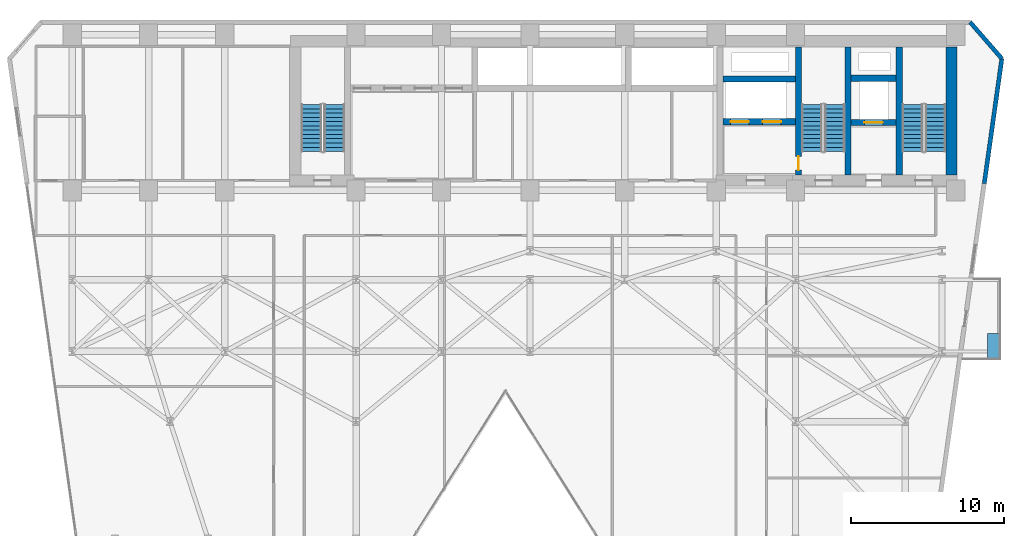
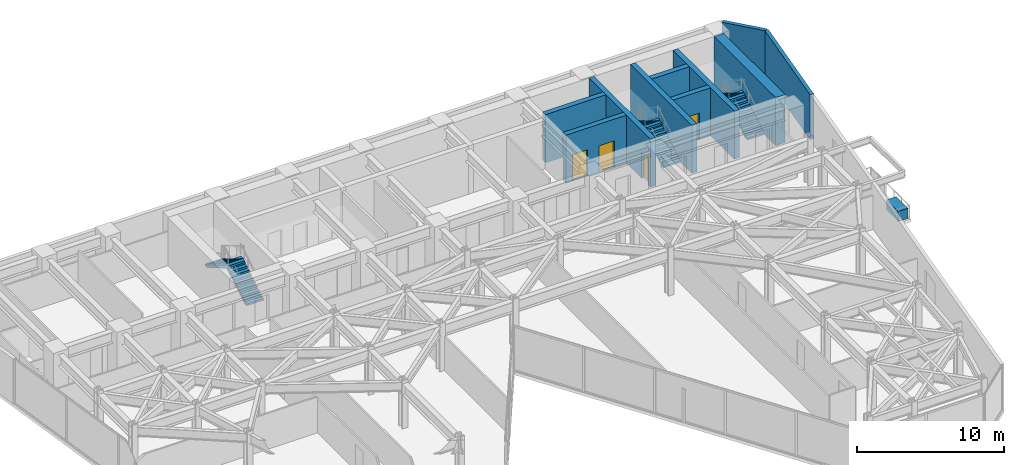
# One storey, part 21 of 24: 10 walls, 6 stair flights, 4 doors, 1 discrete accessory, 4 openings, 3 elements without a shape of their own.
"""IFC4 building model written with IfcOpenShell, lengths in metres."""

import ifcopenshell
import ifcopenshell.guid

model = None  # the IFC model being written
_history = None  # IfcOwnerHistory: only IFC2X3 demands one
_inside = {}  # id of a spatial element -> (the spatial element, [elements in it])
_under = {}  # id of a project, library or spatial element -> (it, [spatial elements below it])
_declared = {}  # id of a project -> (the project, [libraries it declares])
_typed = {}  # id of a type object -> (the type object, [elements of that type])
_made_of = {}  # id of a material, layer set ... -> (it, [elements and type objects made of it])


def new_model(schema):
    """Start an empty IFC model of exactly this schema.

    Asked for "IFC4X3", IfcOpenShell would pick the latest addendum, in which some entities
    have other attributes; the version numbers below select the first issue.
    IFC2X3 requires an IfcOwnerHistory on every rooted entity: one is made here for all.
    """
    global model, _history
    if schema == "IFC4X3":
        model = ifcopenshell.file(schema_version=(4, 3, 0, 0))
    else:
        model = ifcopenshell.file(schema=schema)
    _inside.clear()
    _under.clear()
    _declared.clear()
    _typed.clear()
    _made_of.clear()
    _history = None
    if model.schema == "IFC2X3":
        org = make("IfcOrganization", Name="unknown")
        user = make(
            "IfcPersonAndOrganization",
            ThePerson=make("IfcPerson", FamilyName="unknown"),
            TheOrganization=org,
        )
        app = make(
            "IfcApplication",
            ApplicationDeveloper=org,
            Version="unknown",
            ApplicationFullName="unknown",
            ApplicationIdentifier="unknown",
        )
        _history = make(
            "IfcOwnerHistory",
            OwningUser=user,
            OwningApplication=app,
            ChangeAction="ADDED",
            CreationDate=0,
        )
    return model


def make(cls, **values):
    """One entity of the class cls with the attributes given. An attribute that is None is left unset."""
    return model.create_entity(
        cls, **{name: value for name, value in values.items() if value is not None}
    )


def rooted(cls, **values):
    """An entity with a GlobalId (a new one), such as an element, a storey or a relation."""
    return make(cls, GlobalId=ifcopenshell.guid.new(), OwnerHistory=_history, **values)


def si_unit(unit_type, name, prefix=None):
    """IfcSIUnit, for example si_unit("LENGTHUNIT", "METRE", prefix="MILLI")."""
    return make("IfcSIUnit", UnitType=unit_type, Prefix=prefix, Name=name)


def assignment(units):
    """IfcUnitAssignment: the units of a project."""
    return None if units is None else make("IfcUnitAssignment", Units=units)


def point(xyz):
    """IfcCartesianPoint."""
    return None if xyz is None else make("IfcCartesianPoint", Coordinates=xyz)


def direction(xyz):
    """IfcDirection."""
    return None if xyz is None else make("IfcDirection", DirectionRatios=xyz)


def frame(location, z_axis=None, x_axis=None):
    """IfcAxis2Placement3D, a coordinate frame: its origin and axes. An axis left out is left unset."""
    return make(
        "IfcAxis2Placement3D",
        Location=point(location),
        Axis=direction(z_axis),
        RefDirection=direction(x_axis),
    )


def frame_2d(location, x_axis=None):
    """IfcAxis2Placement2D, a coordinate frame in the plane: its origin and x axis."""
    return make(
        "IfcAxis2Placement2D", Location=point(location), RefDirection=direction(x_axis)
    )


def origin():
    """The frame at (0, 0, 0) with its axes left unset."""
    return frame((0.0, 0.0, 0.0))


def origin_2d():
    """The frame at (0, 0) in the plane with its x axis left unset."""
    return frame_2d((0.0, 0.0))


def place(relative_to, where):
    """IfcLocalPlacement: puts the frame where relative to a parent placement (None: the world)."""
    return make(
        "IfcLocalPlacement", PlacementRelTo=relative_to, RelativePlacement=where
    )


def context(
    kind, dimensions, precision=None, world=None, true_north=None, identifier=None
):
    """IfcGeometricRepresentationContext, for example the 3D "Model" context."""
    return make(
        "IfcGeometricRepresentationContext",
        ContextIdentifier=identifier,
        ContextType=kind,
        CoordinateSpaceDimension=dimensions,
        Precision=precision,
        WorldCoordinateSystem=world,
        TrueNorth=true_north,
    )


def subcontext(parent, identifier, kind, view, scale=None):
    """IfcGeometricRepresentationSubContext, for example "Body" below "Model"."""
    return make(
        "IfcGeometricRepresentationSubContext",
        ContextIdentifier=identifier,
        ContextType=kind,
        ParentContext=parent,
        TargetScale=scale,
        TargetView=view,
    )


def project(units=None, contexts=None):
    """IfcProject with its units and contexts."""
    return rooted(
        "IfcProject",
        Name="project",
        RepresentationContexts=contexts,
        UnitsInContext=assignment(units),
    )


def spatial(cls, under=None, at=None, **own):
    """A site, building, storey or space (cls), placed at a placement, below another one or the project."""
    s = rooted(cls, ObjectPlacement=at, **own)
    if under is not None:
        _under.setdefault(under.id(), (under, []))[1].append(s)
    return s


def polyline(points):
    """IfcPolyline through the points."""
    return make("IfcPolyline", Points=[point(p) for p in points])


def profile(cls, at=None, kind="AREA", **sizes):
    """A parametric profile (cls). Its sizes go by their IFC names, for example OverallWidth=200.0."""
    return make(cls, ProfileType=kind, Position=at, **sizes)


def rectangle(**sizes):
    """IfcRectangleProfileDef."""
    return profile("IfcRectangleProfileDef", **sizes)


def outline(outer, holes=None, kind="AREA"):
    """IfcArbitraryClosedProfileDef: a profile drawn as a closed curve; with holes, ...WithVoids."""
    if holes is None:
        return make("IfcArbitraryClosedProfileDef", ProfileType=kind, OuterCurve=outer)
    return make(
        "IfcArbitraryProfileDefWithVoids",
        ProfileType=kind,
        OuterCurve=outer,
        InnerCurves=holes,
    )


def extrude(swept, where, along, depth):
    """IfcExtrudedAreaSolid: the profile swept, set in the frame where, extruded along a direction by depth."""
    return make(
        "IfcExtrudedAreaSolid",
        SweptArea=swept,
        Position=where,
        ExtrudedDirection=direction(along),
        Depth=depth,
    )


def shape(context_of_items, identifier, shape_type, items):
    """IfcShapeRepresentation: the items that make up one representation, for example the "Body"."""
    return make(
        "IfcShapeRepresentation",
        ContextOfItems=context_of_items,
        RepresentationIdentifier=identifier,
        RepresentationType=shape_type,
        Items=items,
    )


def material(Name=None, Category=None):
    """IfcMaterial."""
    return make("IfcMaterial", Name=Name, Category=Category)


def layer(
    of_material, thickness, ventilated=None, Name=None, Category=None, Priority=None
):
    """IfcMaterialLayer: one layer of a wall or slab, of a material (None: an air gap)."""
    return make(
        "IfcMaterialLayer",
        Material=of_material,
        LayerThickness=thickness,
        IsVentilated=ventilated,
        Name=Name,
        Category=Category,
        Priority=Priority,
    )


def layer_set(layers, Name=None):
    """IfcMaterialLayerSet."""
    return make("IfcMaterialLayerSet", MaterialLayers=layers, LayerSetName=Name)


def made_of(thing, what):
    """Note that an element or type object is made of a material, layer set ...; save() writes the relation."""
    if what is not None:
        _made_of.setdefault(what.id(), (what, []))[1].append(thing)
    return thing


def type_object(cls, material=None, **own):
    """A type object (cls), such as IfcWallType, which elements share."""
    return made_of(rooted(cls, **own), material)


def element(
    cls,
    number,
    at=None,
    inside=None,
    cuts=None,
    type_object=None,
    material=None,
    context=None,
    identifier="Body",
    shape_type=None,
    held_by="IfcProductDefinitionShape",
    body=None,
    shapes=None,
    **own,
):
    """One element of the class cls, such as IfcWall. Its Tag is "e" and its number.

    at: its placement. inside: the storey or other place that contains it. cuts: it is an
    opening in that element (IfcRelVoidsElement). A single representation is given by context,
    identifier, shape_type and body (its items); several are given by shapes. held_by: the class
    of the entity that holds the representations. save() writes the other relations.
    """
    e = rooted(cls, Tag="e%d" % number, ObjectPlacement=at, **own)
    if body is not None:
        shapes = [shape(context, identifier, shape_type, body)]
    if shapes is not None:
        e.Representation = make(held_by, Representations=shapes)
    if inside is not None:
        _inside.setdefault(inside.id(), (inside, []))[1].append(e)
    if cuts is not None:
        rooted(
            "IfcRelVoidsElement", RelatingBuildingElement=cuts, RelatedOpeningElement=e
        )
    if type_object is not None:
        _typed.setdefault(type_object.id(), (type_object, []))[1].append(e)
    return made_of(e, material)


def fill(opening, filler):
    """IfcRelFillsElement: the door or window that sits in an opening."""
    return rooted(
        "IfcRelFillsElement",
        RelatingOpeningElement=opening,
        RelatedBuildingElement=filler,
    )


def aggregate(whole, parts):
    """IfcRelAggregates: a whole, such as a stair, and the parts it consists of."""
    return rooted("IfcRelAggregates", RelatingObject=whole, RelatedObjects=parts)


def save(model, path):
    """Write the relations noted so far, then the file.

    IfcRelAggregates (storeys below a building ...), IfcRelContainedInSpatialStructure (elements
    in a storey), IfcRelDefinesByType, IfcRelAssociatesMaterial and IfcRelDeclares: one each for
    every whole, place, type object, material and project.
    """
    for whole, parts in _under.values():
        aggregate(whole, parts)
    for where, things in _inside.values():
        rooted(
            "IfcRelContainedInSpatialStructure",
            RelatedElements=things,
            RelatingStructure=where,
        )
    for kind, things in _typed.values():
        rooted("IfcRelDefinesByType", RelatedObjects=things, RelatingType=kind)
    for what, things in _made_of.values():
        rooted("IfcRelAssociatesMaterial", RelatedObjects=things, RelatingMaterial=what)
    for by, libraries in _declared.values():
        rooted("IfcRelDeclares", RelatingContext=by, RelatedDefinitions=libraries)
    model.write(path)


model = new_model("IFC4")

# Units and contexts
model_context = context("Model", 3, precision=1e-05, world=origin(), true_north=direction((0.0, 1.0)))
body_context = subcontext(model_context, "Body", "Model", "MODEL_VIEW")
ifc_project = project(units=[si_unit("LENGTHUNIT", "METRE"), si_unit("AREAUNIT", "SQUARE_METRE"), si_unit("VOLUMEUNIT", "CUBIC_METRE"), si_unit("PLANEANGLEUNIT", "RADIAN"), si_unit("MASSUNIT", "GRAM", prefix="KILO")], contexts=[model_context])

# Site, building, storey
site_placement = place(None, origin())
site = spatial("IfcSite", under=ifc_project, at=site_placement, CompositionType="ELEMENT")
building_placement = place(site_placement, origin())
building = spatial("IfcBuilding", under=site, at=building_placement, Name="Kravanh Interchange Tower", CompositionType="ELEMENT")
storey_placement = place(building_placement, frame((0.0, 0.0, 37.5)))
storey = spatial("IfcBuildingStorey", under=building, at=storey_placement, Name="L08", CompositionType="ELEMENT", Elevation=37.5)

# Walls
ifc_material_1 = material(Name="Concrete C80/95", Category="concrete")
ifc_layer_1 = layer(ifc_material_1, 0.39990234375)
ifc_layer_set_1 = layer_set([ifc_layer_1], Name="Core Shear Wall Concrete C80/95 400mm")
wall_type_1 = type_object("IfcWallType", Name="Core Shear Wall Concrete C80/95 400mm", PredefinedType="SHEAR", material=ifc_layer_set_1)
for number, where, z_axis, x_axis, name in (
    (1, (62.800048828125, 38.375, 0.0), (0.0, 0.0, 1.0), (0.0, 1.0, 0.0), "L08 Stair ST1 West Shear Wall"),
    (2, (59.449951171875, 38.375, 0.0), (0.0, 0.0, 1.0), (0.0, 1.0, 0.0), "L08 Stair ST2 East Shear Wall"),
):
    element("IfcWall", number, at=place(storey_placement, frame(where, z_axis=z_axis, x_axis=x_axis)), inside=storey, type_object=wall_type_1, Name=name, PredefinedType="SHEAR", context=body_context, shape_type="SweptSolid", body=[
        extrude(rectangle(XDim=8.375, YDim=0.39990234375, at=frame_2d((4.1875, 0.0))), origin(), (0.0, 0.0, 1.0), 4.0),
    ])

# Wall, opening, door
wall_1_placement = place(storey_placement, frame((56.199951171875, 38.375, 0.0), z_axis=(0.0, 0.0, 1.0), x_axis=(0.0, 1.0, 0.0)))
wall_1 = element("IfcWall", 3, at=wall_1_placement, inside=storey, type_object=wall_type_1, Name="L08 Stair ST2 West Shear Wall", PredefinedType="SHEAR", context=body_context, shape_type="SweptSolid", body=[
    extrude(rectangle(XDim=8.375, YDim=0.39990234375, at=frame_2d((4.1875, 0.0))), origin(), (0.0, 0.0, 1.0), 4.0),
])
opening_1_placement = place(wall_1_placement, frame((0.304931640625, 0.0, 0.0)))
opening_1 = element("IfcOpeningElement", 4, at=opening_1_placement, cuts=wall_1, Name="Opening D-STAIR-90", PredefinedType="OPENING", context=body_context, shape_type="SweptSolid", body=[
    extrude(rectangle(XDim=0.89990234375, YDim=2.14990234375, at=frame_2d((0.449951171875, 1.074951171875))), frame((0.0, 0.2099609375, 0.0), z_axis=(0.0, -1.0, 0.0), x_axis=(1.0, 0.0, 0.0)), (0.0, 0.0, 1.0), 0.419921875),
])
ifc_material_2 = material(Name="Structural Steel S355", Category="steel")
door_type_1 = type_object("IfcDoorType", Name="Fire-Rated Stair Lobby Door 900x2150", OperationType="NOTDEFINED", PredefinedType="DOOR", material=ifc_material_2)
door_1_placement = place(opening_1_placement, origin())
door_1 = element("IfcDoor", 5, at=door_1_placement, inside=storey, type_object=door_type_1, Name="L08 Firefighting Lobby to Stair ST2 Door", OperationType="SINGLE_SWING_LEFT", OverallHeight=2.14990234375, OverallWidth=0.89990234375, PredefinedType="DOOR", context=body_context, shape_type="SweptSolid", body=[
    extrude(rectangle(XDim=0.89990234375, YDim=2.14990234375, at=frame_2d((0.449951171875, 1.074951171875))), frame((0.0, 0.02490234375, 0.0), z_axis=(0.0, -1.0, 0.0), x_axis=(1.0, 0.0, 0.0)), (0.0, 0.0, 1.0), 0.050048828125),
])
fill(opening_1, door_1)

wall_2_placement = place(storey_placement, frame((59.64990234375, 41.800048828125, 0.0), z_axis=(0.0, 0.0, 1.0), x_axis=(1.0, 0.0, 0.0)))
wall_2 = element("IfcWall", 6, at=wall_2_placement, inside=storey, type_object=wall_type_1, Name="L08 Service Lift Shaft South Wall", PredefinedType="SHEAR", context=body_context, shape_type="SweptSolid", body=[
    extrude(rectangle(XDim=2.9501953125, YDim=0.39990234375, at=frame_2d((1.47509765625, 0.0))), origin(), (0.0, 0.0, 1.0), 4.0),
])
opening_2_placement = place(wall_2_placement, frame((0.8701171875, 0.0, 0.0)))
opening_2 = element("IfcOpeningElement", 7, at=opening_2_placement, cuts=wall_2, Name="Opening LD02", PredefinedType="OPENING", context=body_context, shape_type="SweptSolid", body=[
    extrude(rectangle(XDim=1.199951171875, YDim=2.199951171875, at=frame_2d((0.60009765625, 1.10009765625))), frame((0.0, 0.2099609375, 0.0), z_axis=(0.0, -1.0, 0.0), x_axis=(1.0, 0.0, 0.0)), (0.0, 0.0, 1.0), 0.419921875),
])
ifc_material_3 = material(Name="Stainless Steel 316", Category="steel")
door_type_2 = type_object("IfcDoorType", Name="Fire and Service Lift Sliding Landing Door 1200x2200", OperationType="DOUBLE_DOOR_SLIDING", PredefinedType="DOOR", material=ifc_material_3)
door_2_placement = place(opening_2_placement, origin())
door_2 = element("IfcDoor", 8, at=door_2_placement, inside=storey, type_object=door_type_2, Name="L08 Lift LS-01 Landing Door", OperationType="DOUBLE_DOOR_SLIDING", OverallHeight=2.199951171875, OverallWidth=1.199951171875, PredefinedType="DOOR", context=body_context, shape_type="SweptSolid", body=[
    extrude(rectangle(XDim=1.199951171875, YDim=2.199951171875, at=frame_2d((0.60009765625, 1.10009765625))), frame((0.0, 0.02490234375, 0.0), z_axis=(0.0, -1.0, 0.0), x_axis=(1.0, 0.0, 0.0)), (0.0, 0.0, 1.0), 0.050048828125),
])
fill(opening_2, door_2)

# Wall
wall_3_placement = place(storey_placement, frame((59.64990234375, 44.699951171875, 0.0), z_axis=(0.0, 0.0, 1.0), x_axis=(1.0, 0.0, 0.0)))
element("IfcWall", 9, at=wall_3_placement, inside=storey, type_object=wall_type_1, Name="L08 Service Lift Shaft North Wall", PredefinedType="SHEAR", context=body_context, shape_type="SweptSolid", body=[
    extrude(rectangle(XDim=2.9501953125, YDim=0.39990234375, at=frame_2d((1.47509765625, 0.0))), origin(), (0.0, 0.0, 1.0), 4.0),
])

# Wall, openings, doors
wall_4_placement = place(storey_placement, frame((51.25, 41.85009765625, 0.0), z_axis=(0.0, 0.0, 1.0), x_axis=(1.0, 0.0, 0.0)))
wall_4 = element("IfcWall", 10, at=wall_4_placement, inside=storey, type_object=wall_type_1, Name="L08 Fire Lift Shaft South Wall", PredefinedType="SHEAR", context=body_context, shape_type="SweptSolid", body=[
    extrude(rectangle(XDim=4.75, YDim=0.39990234375, at=frame_2d((2.375, 0.0))), origin(), (0.0, 0.0, 1.0), 4.0),
])
opening_3_placement = place(wall_4_placement, frame((0.5, 0.0, 0.0)))
opening_3 = element("IfcOpeningElement", 11, at=opening_3_placement, cuts=wall_4, Name="Opening LD02", PredefinedType="OPENING", context=body_context, shape_type="SweptSolid", body=[
    extrude(rectangle(XDim=1.199951171875, YDim=2.199951171875, at=frame_2d((0.60009765625, 1.10009765625))), frame((0.0, 0.2099609375, 0.0), z_axis=(0.0, -1.0, 0.0), x_axis=(1.0, 0.0, 0.0)), (0.0, 0.0, 1.0), 0.419921875),
])
opening_4_placement = place(wall_4_placement, frame((2.60009765625, 0.0, 0.0)))
opening_4 = element("IfcOpeningElement", 12, at=opening_4_placement, cuts=wall_4, Name="Opening LD02", PredefinedType="OPENING", context=body_context, shape_type="SweptSolid", body=[
    extrude(rectangle(XDim=1.199951171875, YDim=2.199951171875, at=frame_2d((0.60009765625, 1.10009765625))), frame((0.0, 0.2099609375, 0.0), z_axis=(0.0, -1.0, 0.0), x_axis=(1.0, 0.0, 0.0)), (0.0, 0.0, 1.0), 0.419921875),
])
door_3_placement = place(opening_3_placement, origin())
door_3 = element("IfcDoor", 13, at=door_3_placement, inside=storey, type_object=door_type_2, Name="L08 Lift FSAE-01 Landing Door", OperationType="DOUBLE_DOOR_SLIDING", OverallHeight=2.199951171875, OverallWidth=1.199951171875, PredefinedType="DOOR", context=body_context, shape_type="SweptSolid", body=[
    extrude(rectangle(XDim=1.199951171875, YDim=2.199951171875, at=frame_2d((0.60009765625, 1.10009765625))), frame((0.0, 0.02490234375, 0.0), z_axis=(0.0, -1.0, 0.0), x_axis=(1.0, 0.0, 0.0)), (0.0, 0.0, 1.0), 0.050048828125),
])
fill(opening_3, door_3)
door_4_placement = place(opening_4_placement, origin())
door_4 = element("IfcDoor", 14, at=door_4_placement, inside=storey, type_object=door_type_2, Name="L08 Lift FSAE-02 Landing Door", OperationType="DOUBLE_DOOR_SLIDING", OverallHeight=2.199951171875, OverallWidth=1.199951171875, PredefinedType="DOOR", context=body_context, shape_type="SweptSolid", body=[
    extrude(rectangle(XDim=1.199951171875, YDim=2.199951171875, at=frame_2d((0.60009765625, 1.10009765625))), frame((0.0, 0.02490234375, 0.0), z_axis=(0.0, -1.0, 0.0), x_axis=(1.0, 0.0, 0.0)), (0.0, 0.0, 1.0), 0.050048828125),
])
fill(opening_4, door_4)

# Walls
wall_5_placement = place(storey_placement, frame((51.25, 44.64990234375, 0.0), z_axis=(0.0, 0.0, 1.0), x_axis=(1.0, 0.0, 0.0)))
element("IfcWall", 15, at=wall_5_placement, inside=storey, type_object=wall_type_1, Name="L08 Fire Lift Shaft North Wall", PredefinedType="SHEAR", context=body_context, shape_type="SweptSolid", body=[
    extrude(rectangle(XDim=4.75, YDim=0.39990234375, at=frame_2d((2.375, 0.0))), origin(), (0.0, 0.0, 1.0), 4.0),
])
ifc_material_4 = material(Name="Concrete C80/95", Category="concrete")
ifc_layer_2 = layer(ifc_material_4, 0.75)
ifc_layer_set_2 = layer_set([ifc_layer_2], Name="Core Shear Wall Concrete C80/95 750mm")
wall_type_2 = type_object("IfcWallType", Name="Core Shear Wall Concrete C80/95 750mm", PredefinedType="SHEAR", material=ifc_layer_set_2)
wall_6_placement = place(storey_placement, frame((66.22509765625, 38.375, 0.0), z_axis=(0.0, 0.0, 1.0), x_axis=(0.0, 1.0, 0.0)))
element("IfcWall", 16, at=wall_6_placement, inside=storey, type_object=wall_type_2, Name="L08 Stair ST1 East Shear Wall", PredefinedType="SHEAR", context=body_context, shape_type="SweptSolid", body=[
    extrude(rectangle(XDim=8.375, YDim=0.75, at=frame_2d((4.1875, 0.0))), origin(), (0.0, 0.0, 1.0), 4.0),
])
ifc_material_5 = material(Name="Insulated Precast Concrete C40/50 with Bronze Cladding", Category="concrete")
ifc_layer_3 = layer(ifc_material_5, 0.280029296875)
ifc_layer_set_3 = layer_set([ifc_layer_3], Name="Exterior Insulated Concrete C40/50 Bronze Spandrel Wall 280mm")
wall_type_3 = type_object("IfcWallType", Name="Exterior Insulated Concrete C40/50 Bronze Spandrel Wall 280mm", PredefinedType="STANDARD", material=ifc_layer_set_3)
wall_7_placement = place(storey_placement, frame((67.4453125, 48.3798828125, 0.0), z_axis=(0.0, 0.0, 1.0), x_axis=(0.656070053895, -0.754699996278, 0.0)))
element("IfcWall", 17, at=wall_7_placement, inside=storey, type_object=wall_type_3, Name="L08 Exterior Wall 4", PredefinedType="STANDARD", context=body_context, shape_type="SweptSolid", body=[
    extrude(rectangle(XDim=3.1708984375, YDim=0.280029296875, at=frame_2d((1.58544921875, 0.0))), origin(), (0.0, 0.0, 1.0), 3.739990234375),
])
wall_8_placement = place(storey_placement, frame((69.525634765625, 45.98681640625, 0.0), z_axis=(0.0, 0.0, 1.0), x_axis=(-0.139180172484, -0.990267074878, 0.0)))
element("IfcWall", 18, at=wall_8_placement, inside=storey, type_object=wall_type_3, Name="L08 Exterior Wall 5", PredefinedType="STANDARD", context=body_context, shape_type="SweptSolid", body=[
    extrude(rectangle(XDim=8.267333984375, YDim=0.280029296875, at=frame_2d((4.1337890625, 0.0))), origin(), (0.0, 0.0, 1.0), 3.739990234375),
])

# Stair, stair flights
ifc_material_6 = material(Name="Concrete C50/60", Category="concrete")
stair_type = type_object("IfcStairType", Name="Core Fire Exit Dogleg Stair Concrete C50/60", PredefinedType="HALF_TURN_STAIR", material=ifc_material_6)
stair_1_placement = place(storey_placement, origin())
stair_1 = element("IfcStair", 19, at=stair_1_placement, inside=storey, type_object=stair_type, Name="L08 Exit Stair ST1", PredefinedType="HALF_TURN_STAIR")
ifc_material_7 = material(Name="Precast Concrete C50/60", Category="concrete")
ifc_layer_4 = layer(ifc_material_7, 0.199951171875)
ifc_layer_set_4 = layer_set([ifc_layer_4], Name="Precast Concrete C50/60 Stair Flight 1350mm")
stair_flight_type = type_object("IfcStairFlightType", Name="Precast Concrete C50/60 Stair Flight 1350mm", PredefinedType="STRAIGHT", material=ifc_layer_set_4)
stair_flight_1_placement = place(storey_placement, frame((65.175048828125, 39.89990234375, 0.0), z_axis=(0.0, 0.0, 1.0), x_axis=(0.0, 1.0, 0.0)))
stair_flight_1 = element("IfcStairFlight", 20, at=stair_flight_1_placement, type_object=stair_flight_type, Name="ST1 flight 1", NumberOfRisers=12, NumberOfTreads=11, PredefinedType="STRAIGHT", RiserHeight=0.166666667, TreadLength=0.28, context=body_context, shape_type="SweptSolid", body=[
    extrude(outline(polyline([(0.0, 0.0), (0.0, 0.166748046875), (0.280029296875, 0.166748046875), (0.280029296875, 0.333251953125), (0.56005859375, 0.333251953125), (0.56005859375, 0.5), (0.840087890625, 0.5), (0.840087890625, 0.666748046875), (1.1201171875, 0.666748046875), (1.1201171875, 0.833251953125), (1.39990234375, 0.833251953125), (1.39990234375, 1.0), (1.679931640625, 1.0), (1.679931640625, 1.166748046875), (1.9599609375, 1.166748046875), (1.9599609375, 1.333251953125), (2.239990234375, 1.333251953125), (2.239990234375, 1.5), (2.52001953125, 1.5), (2.52001953125, 1.666748046875), (2.800048828125, 1.666748046875), (2.800048828125, 1.833251953125), (3.080078125, 1.833251953125), (3.080078125, 2.0), (3.080078125, 1.658935546875), (0.29296875, 0.0), (0.0, 0.0)])), frame((0.0, 0.675048828125, 0.0), z_axis=(0.0, -1.0, 0.0), x_axis=(1.0, 0.0, 0.0)), (0.0, 0.0, 1.0), 1.35009765625),
])
stair_flight_2_placement = place(storey_placement, frame((63.675048828125, 42.97998046875, 2.0), z_axis=(0.0, 0.0, 1.0), x_axis=(0.0, -1.0, 0.0)))
stair_flight_2 = element("IfcStairFlight", 21, at=stair_flight_2_placement, type_object=stair_flight_type, Name="ST1 flight 2", NumberOfRisers=12, NumberOfTreads=11, PredefinedType="STRAIGHT", RiserHeight=0.166666667, TreadLength=0.28, context=body_context, shape_type="SweptSolid", body=[
    extrude(outline(polyline([(0.0, 0.0), (0.0, 0.166748046875), (0.280029296875, 0.166748046875), (0.280029296875, 0.333251953125), (0.56005859375, 0.333251953125), (0.56005859375, 0.5), (0.840087890625, 0.5), (0.840087890625, 0.666748046875), (1.1201171875, 0.666748046875), (1.1201171875, 0.833251953125), (1.39990234375, 0.833251953125), (1.39990234375, 1.0), (1.679931640625, 1.0), (1.679931640625, 1.166748046875), (1.9599609375, 1.166748046875), (1.9599609375, 1.333251953125), (2.239990234375, 1.333251953125), (2.239990234375, 1.5), (2.52001953125, 1.5), (2.52001953125, 1.666748046875), (2.800048828125, 1.666748046875), (2.800048828125, 1.833251953125), (3.080078125, 1.833251953125), (3.080078125, 2.0), (3.080078125, 1.658935546875), (0.29296875, 0.0), (0.0, 0.0)])), frame((0.0, 0.675048828125, 0.0), z_axis=(0.0, -1.0, 0.0), x_axis=(1.0, 0.0, 0.0)), (0.0, 0.0, 1.0), 1.35009765625),
])
aggregate(stair_1, [stair_flight_1, stair_flight_2])

stair_2_placement = place(storey_placement, origin())
stair_2 = element("IfcStair", 22, at=stair_2_placement, inside=storey, type_object=stair_type, Name="L08 Exit Stair ST2", PredefinedType="HALF_TURN_STAIR")
stair_flight_3_placement = place(storey_placement, frame((58.574951171875, 39.89990234375, 0.0), z_axis=(0.0, 0.0, 1.0), x_axis=(0.0, 1.0, 0.0)))
stair_flight_3 = element("IfcStairFlight", 23, at=stair_flight_3_placement, type_object=stair_flight_type, Name="ST2 flight 1", NumberOfRisers=12, NumberOfTreads=11, PredefinedType="STRAIGHT", RiserHeight=0.166666667, TreadLength=0.28, context=body_context, shape_type="SweptSolid", body=[
    extrude(outline(polyline([(0.0, 0.0), (0.0, 0.166748046875), (0.280029296875, 0.166748046875), (0.280029296875, 0.333251953125), (0.56005859375, 0.333251953125), (0.56005859375, 0.5), (0.840087890625, 0.5), (0.840087890625, 0.666748046875), (1.1201171875, 0.666748046875), (1.1201171875, 0.833251953125), (1.39990234375, 0.833251953125), (1.39990234375, 1.0), (1.679931640625, 1.0), (1.679931640625, 1.166748046875), (1.9599609375, 1.166748046875), (1.9599609375, 1.333251953125), (2.239990234375, 1.333251953125), (2.239990234375, 1.5), (2.52001953125, 1.5), (2.52001953125, 1.666748046875), (2.800048828125, 1.666748046875), (2.800048828125, 1.833251953125), (3.080078125, 1.833251953125), (3.080078125, 2.0), (3.080078125, 1.658935546875), (0.29296875, 0.0), (0.0, 0.0)])), frame((0.0, 0.675048828125, 0.0), z_axis=(0.0, -1.0, 0.0), x_axis=(1.0, 0.0, 0.0)), (0.0, 0.0, 1.0), 1.35009765625),
])
stair_flight_4_placement = place(storey_placement, frame((57.074951171875, 42.97998046875, 2.0), z_axis=(0.0, 0.0, 1.0), x_axis=(0.0, -1.0, 0.0)))
stair_flight_4 = element("IfcStairFlight", 24, at=stair_flight_4_placement, type_object=stair_flight_type, Name="ST2 flight 2", NumberOfRisers=12, NumberOfTreads=11, PredefinedType="STRAIGHT", RiserHeight=0.166666667, TreadLength=0.28, context=body_context, shape_type="SweptSolid", body=[
    extrude(outline(polyline([(0.0, 0.0), (0.0, 0.166748046875), (0.280029296875, 0.166748046875), (0.280029296875, 0.333251953125), (0.56005859375, 0.333251953125), (0.56005859375, 0.5), (0.840087890625, 0.5), (0.840087890625, 0.666748046875), (1.1201171875, 0.666748046875), (1.1201171875, 0.833251953125), (1.39990234375, 0.833251953125), (1.39990234375, 1.0), (1.679931640625, 1.0), (1.679931640625, 1.166748046875), (1.9599609375, 1.166748046875), (1.9599609375, 1.333251953125), (2.239990234375, 1.333251953125), (2.239990234375, 1.5), (2.52001953125, 1.5), (2.52001953125, 1.666748046875), (2.800048828125, 1.666748046875), (2.800048828125, 1.833251953125), (3.080078125, 1.833251953125), (3.080078125, 2.0), (3.080078125, 1.658935546875), (0.29296875, 0.0), (0.0, 0.0)])), frame((0.0, 0.675048828125, 0.0), z_axis=(0.0, -1.0, 0.0), x_axis=(1.0, 0.0, 0.0)), (0.0, 0.0, 1.0), 1.35009765625),
])
aggregate(stair_2, [stair_flight_3, stair_flight_4])

stair_3_placement = place(storey_placement, origin())
stair_3 = element("IfcStair", 25, at=stair_3_placement, inside=storey, type_object=stair_type, Name="L08 Exit Stair ST3", PredefinedType="HALF_TURN_STAIR")
stair_flight_5_placement = place(storey_placement, frame((25.77490234375, 39.89990234375, 0.0), z_axis=(0.0, 0.0, 1.0), x_axis=(0.0, 1.0, 0.0)))
stair_flight_5 = element("IfcStairFlight", 26, at=stair_flight_5_placement, type_object=stair_flight_type, Name="ST3 flight 1", NumberOfRisers=12, NumberOfTreads=11, PredefinedType="STRAIGHT", RiserHeight=0.166666667, TreadLength=0.28, context=body_context, shape_type="SweptSolid", body=[
    extrude(outline(polyline([(0.0, 0.0), (0.0, 0.166748046875), (0.280029296875, 0.166748046875), (0.280029296875, 0.333251953125), (0.56005859375, 0.333251953125), (0.56005859375, 0.5), (0.840087890625, 0.5), (0.840087890625, 0.666748046875), (1.1201171875, 0.666748046875), (1.1201171875, 0.833251953125), (1.39990234375, 0.833251953125), (1.39990234375, 1.0), (1.679931640625, 1.0), (1.679931640625, 1.166748046875), (1.9599609375, 1.166748046875), (1.9599609375, 1.333251953125), (2.239990234375, 1.333251953125), (2.239990234375, 1.5), (2.52001953125, 1.5), (2.52001953125, 1.666748046875), (2.800048828125, 1.666748046875), (2.800048828125, 1.833251953125), (3.080078125, 1.833251953125), (3.080078125, 2.0), (3.080078125, 1.658935546875), (0.29296875, 0.0), (0.0, 0.0)])), frame((0.0, 0.675048828125, 0.0), z_axis=(0.0, -1.0, 0.0), x_axis=(1.0, 0.0, 0.0)), (0.0, 0.0, 1.0), 1.35009765625),
])
stair_flight_6_placement = place(storey_placement, frame((24.27490234375, 42.97998046875, 2.0), z_axis=(0.0, 0.0, 1.0), x_axis=(0.0, -1.0, 0.0)))
stair_flight_6 = element("IfcStairFlight", 27, at=stair_flight_6_placement, type_object=stair_flight_type, Name="ST3 flight 2", NumberOfRisers=12, NumberOfTreads=11, PredefinedType="STRAIGHT", RiserHeight=0.166666667, TreadLength=0.28, context=body_context, shape_type="SweptSolid", body=[
    extrude(outline(polyline([(0.0, 0.0), (0.0, 0.166748046875), (0.280029296875, 0.166748046875), (0.280029296875, 0.333251953125), (0.56005859375, 0.333251953125), (0.56005859375, 0.5), (0.840087890625, 0.5), (0.840087890625, 0.666748046875), (1.1201171875, 0.666748046875), (1.1201171875, 0.833251953125), (1.39990234375, 0.833251953125), (1.39990234375, 1.0), (1.679931640625, 1.0), (1.679931640625, 1.166748046875), (1.9599609375, 1.166748046875), (1.9599609375, 1.333251953125), (2.239990234375, 1.333251953125), (2.239990234375, 1.5), (2.52001953125, 1.5), (2.52001953125, 1.666748046875), (2.800048828125, 1.666748046875), (2.800048828125, 1.833251953125), (3.080078125, 1.833251953125), (3.080078125, 2.0), (3.080078125, 1.658935546875), (0.29296875, 0.0), (0.0, 0.0)])), frame((0.0, 0.675048828125, 0.0), z_axis=(0.0, -1.0, 0.0), x_axis=(1.0, 0.0, 0.0)), (0.0, 0.0, 1.0), 1.35009765625),
])
aggregate(stair_3, [stair_flight_5, stair_flight_6])

# Discrete accessory
ifc_material_8 = material(Name="Architectural GRC Concrete C40/50 with Root Barrier", Category="concrete")
discrete_accessory_type = type_object("IfcDiscreteAccessoryType", Name="Structural Balcony Tree Planter Box Concrete C40/50 1600x750x850", PredefinedType="USERDEFINED", material=ifc_material_8)
discrete_accessory_placement = place(storey_placement, frame((68.958984375, 27.179931640625, 0.0), z_axis=(0.0, 0.0, 1.0), x_axis=(1.0, 0.0, 0.0)))
element("IfcDiscreteAccessory", 28, at=discrete_accessory_placement, inside=storey, type_object=discrete_accessory_type, Name="L08 E Balcony TREE PLANTER", ObjectType="PLANTER", PredefinedType="USERDEFINED", context=body_context, shape_type="SweptSolid", body=[
    extrude(rectangle(XDim=0.75, YDim=1.60009765625, at=origin_2d()), origin(), (0.0, 0.0, 1.0), 0.85009765625),
])

save(model, "model.ifc")
